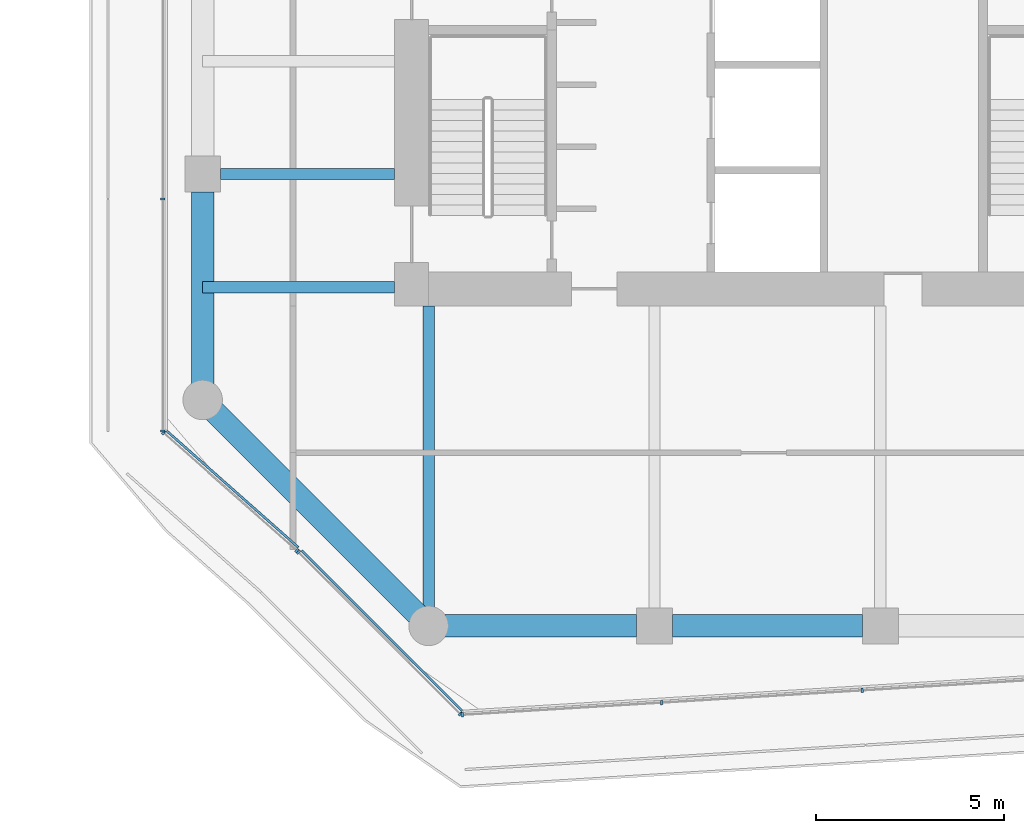
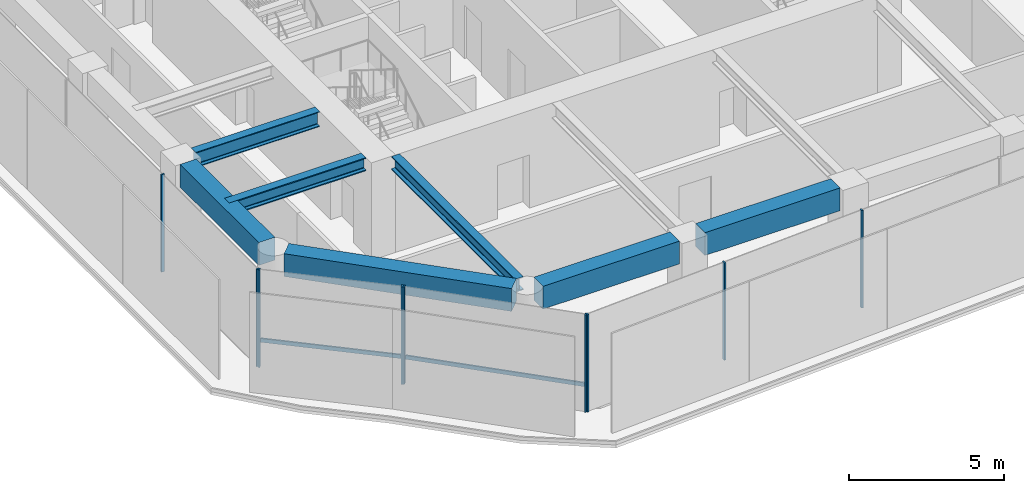
# One storey, part 2 of 29: 11 members, 7 beams, 4 elements without a shape of their own.
"""IFC4 building model written with IfcOpenShell, lengths in metres."""

from ifc_helpers import new_model, si_unit, direction, frame, origin, origin_2d, place, context, subcontext, project, spatial, rectangle, i_section, extrude, material, layer, layer_set, material_profile, profile_set, type_object, element, aggregate, save


model = new_model("IFC4")

# Units and contexts
model_context = context("Model", 3, precision=1e-05, world=origin(), true_north=direction((0.0, 1.0)))
body_context = subcontext(model_context, "Body", "Model", "MODEL_VIEW")
ifc_project = project(units=[si_unit("LENGTHUNIT", "METRE"), si_unit("AREAUNIT", "SQUARE_METRE"), si_unit("VOLUMEUNIT", "CUBIC_METRE"), si_unit("PLANEANGLEUNIT", "RADIAN"), si_unit("MASSUNIT", "GRAM", prefix="KILO")], contexts=[model_context])

# Site, building, storey
site_placement = place(None, origin())
site = spatial("IfcSite", under=ifc_project, at=site_placement, CompositionType="ELEMENT")
building_placement = place(site_placement, origin())
building = spatial("IfcBuilding", under=site, at=building_placement, Name="Welwitschia Terrace Campus", CompositionType="ELEMENT")
storey_placement = place(building_placement, frame((0.0, 0.0, 66.800048828125)))
storey = spatial("IfcBuildingStorey", under=building, at=storey_placement, Name="L15", CompositionType="ELEMENT", Elevation=66.800048828125)

# Beams
ifc_material_1 = material(Name="Steel S355", Category="steel")
ifc_material_profile_1 = material_profile(ifc_material_1, i_section(OverallWidth=0.305908203125, OverallDepth=0.52392578125, WebThickness=0.02099609375, FlangeThickness=0.0400390625, FilletRadius=0.027099609375, at=origin_2d()))
ifc_profile_set_1 = profile_set([ifc_material_profile_1], Name="Steel S355")
beam_type_1 = type_object("IfcBeamType", Name="Interior girder HE 500 M", PredefinedType="BEAM", material=ifc_profile_set_1)
beam_1_placement = place(storey_placement, frame((-0.010009765625, 5.0, 3.587890625), z_axis=(1.0, 0.0, 0.0), x_axis=(0.0, 1.0, 0.0)))
element("IfcBeam", 1, at=beam_1_placement, inside=storey, type_object=beam_type_1, Name="Girder GB2", PredefinedType="BEAM", context=body_context, shape_type="SweptSolid", body=[
    extrude(i_section(OverallWidth=0.305908203125, OverallDepth=0.52392578125, WebThickness=0.02099609375, FlangeThickness=0.0400390625, FilletRadius=0.027099609375, at=origin_2d()), origin(), (0.0, 0.0, 1.0), 5.109130859375),
])
beam_2_placement = place(storey_placement, frame((6.0, -3.507080078125, 3.587890625), z_axis=(0.0, 1.0, 0.0), x_axis=(-1.0, 0.0, 0.0)))
element("IfcBeam", 2, at=beam_2_placement, inside=storey, type_object=beam_type_1, Name="Girder GB2", PredefinedType="BEAM", context=body_context, shape_type="SweptSolid", body=[
    extrude(i_section(OverallWidth=0.305908203125, OverallDepth=0.52392578125, WebThickness=0.02099609375, FlangeThickness=0.0400390625, FilletRadius=0.027099609375, at=origin_2d()), origin(), (0.0, 0.0, 1.0), 8.006103515625),
])

# Curtain wall, members
ifc_material_2 = material(Name="Bronze anodised aluminium", Category="aluminium")
ifc_layer = layer(ifc_material_2, 0.1201171875)
ifc_layer_set = layer_set([ifc_layer], Name="Bronze anodised aluminium")
curtain_wall_type = type_object("IfcCurtainWallType", Name="Curtain wall CW2 tower 6000", PredefinedType="NOTDEFINED", material=ifc_layer_set)
curtain_wall_1_placement = place(storey_placement, origin())
curtain_wall_1 = element("IfcCurtainWall", 3, at=curtain_wall_1_placement, inside=storey, type_object=curtain_wall_type, Name="CW L15.0.0", PredefinedType="NOTDEFINED")
ifc_material_3 = material(Name="Bronze anodised aluminium", Category="aluminium")
ifc_material_profile_2 = material_profile(ifc_material_3, rectangle(XDim=0.1201171875, YDim=0.06005859375, at=origin_2d()))
ifc_profile_set_2 = profile_set([ifc_material_profile_2], Name="Bronze anodised aluminium")
member_type_1 = type_object("IfcMemberType", Name="Mullion 60x120", PredefinedType="MULLION", material=ifc_profile_set_2)
member_1_placement = place(storey_placement, frame((-1.03564453125, 1.129150390625, 0.0), z_axis=(0.0, 0.0, 1.0), x_axis=(0.662620048216, 0.748955720789, 0.0)))
member_1 = element("IfcMember", 4, at=member_1_placement, type_object=member_type_1, Name="Mullion L15.0.0.0", PredefinedType="MULLION", context=body_context, shape_type="SweptSolid", body=[
    extrude(rectangle(XDim=0.1201171875, YDim=0.06005859375, at=origin_2d()), origin(), (0.0, 0.0, 1.0), 3.849853515625),
])
member_2_placement = place(storey_placement, frame((2.5009765625, -1.999755859375, 0.0), z_axis=(0.0, 0.0, 1.0), x_axis=(0.662620048216, 0.748955720789, 0.0)))
member_2 = element("IfcMember", 5, at=member_2_placement, type_object=member_type_1, Name="Mullion L15.0.0.1", PredefinedType="MULLION", context=body_context, shape_type="SweptSolid", body=[
    extrude(rectangle(XDim=0.1201171875, YDim=0.06005859375, at=origin_2d()), origin(), (0.0, 0.0, 1.0), 3.849853515625),
])

curtain_wall_2_placement = place(storey_placement, origin())
curtain_wall_2 = element("IfcCurtainWall", 6, at=curtain_wall_2_placement, inside=storey, type_object=curtain_wall_type, Name="CW L15.1.0", PredefinedType="NOTDEFINED")
member_3_placement = place(storey_placement, frame((2.544677734375, -2.040771484375, 0.0), z_axis=(0.0, 0.0, 1.0), x_axis=(0.707106781187, 0.707106781187, 0.0)))
member_3 = element("IfcMember", 7, at=member_3_placement, type_object=member_type_1, Name="Mullion L15.1.0.0", PredefinedType="MULLION", context=body_context, shape_type="SweptSolid", body=[
    extrude(rectangle(XDim=0.1201171875, YDim=0.06005859375, at=origin_2d()), origin(), (0.0, 0.0, 1.0), 3.849853515625),
])
member_4_placement = place(storey_placement, frame((6.84326171875, -6.339599609375, 0.0), z_axis=(0.0, 0.0, 1.0), x_axis=(0.707106781187, 0.707106781187, 0.0)))
member_4 = element("IfcMember", 8, at=member_4_placement, type_object=member_type_1, Name="Mullion L15.1.0.1", PredefinedType="MULLION", context=body_context, shape_type="SweptSolid", body=[
    extrude(rectangle(XDim=0.1201171875, YDim=0.06005859375, at=origin_2d()), origin(), (0.0, 0.0, 1.0), 3.849853515625),
])

curtain_wall_3_placement = place(storey_placement, origin())
curtain_wall_3 = element("IfcCurtainWall", 9, at=curtain_wall_3_placement, inside=storey, type_object=curtain_wall_type, Name="CW L15.2.0", PredefinedType="NOTDEFINED")
member_5_placement = place(storey_placement, frame((6.89453125, -6.35888671875, 0.0), z_axis=(0.0, 0.0, 1.0), x_axis=(-0.061048539535, 0.998134798422, 0.0)))
member_5 = element("IfcMember", 10, at=member_5_placement, type_object=member_type_1, Name="Mullion L15.2.0.0", PredefinedType="MULLION", context=body_context, shape_type="SweptSolid", body=[
    extrude(rectangle(XDim=0.1201171875, YDim=0.06005859375, at=origin_2d()), origin(), (0.0, 0.0, 1.0), 3.849853515625),
])
member_6_placement = place(storey_placement, frame((12.189697265625, -6.03515625, 0.0), z_axis=(0.0, 0.0, 1.0), x_axis=(-0.061048539535, 0.998134798422, 0.0)))
member_6 = element("IfcMember", 11, at=member_6_placement, type_object=member_type_1, Name="Mullion L15.2.0.1", PredefinedType="MULLION", context=body_context, shape_type="SweptSolid", body=[
    extrude(rectangle(XDim=0.1201171875, YDim=0.06005859375, at=origin_2d()), origin(), (0.0, 0.0, 1.0), 3.849853515625),
])
member_7_placement = place(storey_placement, frame((17.514892578125, -5.70947265625, 0.0), z_axis=(0.0, 0.0, 1.0), x_axis=(-0.061048539535, 0.998134798422, 0.0)))
member_7 = element("IfcMember", 12, at=member_7_placement, type_object=member_type_1, Name="Mullion L15.2.0.2", PredefinedType="MULLION", context=body_context, shape_type="SweptSolid", body=[
    extrude(rectangle(XDim=0.1201171875, YDim=0.06005859375, at=origin_2d()), origin(), (0.0, 0.0, 1.0), 3.849853515625),
])
aggregate(curtain_wall_3, [member_5, member_6, member_7])

curtain_wall_4_placement = place(storey_placement, origin())
curtain_wall_4 = element("IfcCurtainWall", 13, at=curtain_wall_4_placement, inside=storey, type_object=curtain_wall_type, Name="CW L15.12.0", PredefinedType="NOTDEFINED")
member_8_placement = place(storey_placement, frame((-1.05810546875, 7.33984375, 0.0), z_axis=(0.0, 0.0, 1.0), x_axis=(1.0, 0.0, 0.0)))
member_8 = element("IfcMember", 14, at=member_8_placement, type_object=member_type_1, Name="Mullion L15.12.0.9", PredefinedType="MULLION", context=body_context, shape_type="SweptSolid", body=[
    extrude(rectangle(XDim=0.1201171875, YDim=0.06005859375, at=origin_2d()), origin(), (0.0, 0.0, 1.0), 3.849853515625),
])
member_9_placement = place(storey_placement, frame((-1.05810546875, 1.178955078125, 0.0), z_axis=(0.0, 0.0, 1.0), x_axis=(1.0, 0.0, 0.0)))
member_9 = element("IfcMember", 15, at=member_9_placement, type_object=member_type_1, Name="Mullion L15.12.0.10", PredefinedType="MULLION", context=body_context, shape_type="SweptSolid", body=[
    extrude(rectangle(XDim=0.1201171875, YDim=0.06005859375, at=origin_2d()), origin(), (0.0, 0.0, 1.0), 3.849853515625),
])
aggregate(curtain_wall_4, [member_8, member_9])

# Beams
ifc_material_4 = material(Name="Steel S355", Category="steel")
ifc_material_profile_3 = material_profile(ifc_material_4, i_section(OverallWidth=0.300048828125, OverallDepth=0.60009765625, WebThickness=0.015380859375, FlangeThickness=0.030029296875, FilletRadius=0.027099609375, at=origin_2d()))
ifc_profile_set_3 = profile_set([ifc_material_profile_3], Name="Steel S355")
beam_type_2 = type_object("IfcBeamType", Name="Primary beam HE 600 B", PredefinedType="BEAM", material=ifc_profile_set_3)
beam_3_placement = place(storey_placement, frame((0.4755859375, 8.0, 3.550048828125), z_axis=(1.0, 0.0, 0.0), x_axis=(0.0, 1.0, 0.0)))
element("IfcBeam", 16, at=beam_3_placement, inside=storey, type_object=beam_type_2, Name="Primary beam PB2", PredefinedType="BEAM", context=body_context, shape_type="SweptSolid", body=[
    extrude(i_section(OverallWidth=0.300048828125, OverallDepth=0.60009765625, WebThickness=0.015380859375, FlangeThickness=0.030029296875, FilletRadius=0.027099609375, at=origin_2d()), origin(), (0.0, 0.0, 1.0), 4.62451171875),
])
ifc_material_5 = material(Name="Concrete C60/75", Category="concrete")
ifc_material_profile_4 = material_profile(ifc_material_5, rectangle(XDim=0.60009765625, YDim=0.89990234375, at=origin_2d()))
ifc_profile_set_4 = profile_set([ifc_material_profile_4], Name="Concrete C60/75")
beam_type_3 = type_object("IfcBeamType", Name="Ring spandrel 600x900", PredefinedType="SPANDREL", material=ifc_profile_set_4)
beam_4_placement = place(storey_placement, frame((0.30517578125, 1.69482421875, 3.39990234375), z_axis=(0.707106781187, -0.707106781187, 0.0), x_axis=(0.707106781187, 0.707106781187, 0.0)))
element("IfcBeam", 17, at=beam_4_placement, inside=storey, type_object=beam_type_3, Name="Spandrel SP2", PredefinedType="SPANDREL", context=body_context, shape_type="SweptSolid", body=[
    extrude(rectangle(XDim=0.60009765625, YDim=0.89990234375, at=origin_2d()), origin(), (0.0, 0.0, 1.0), 7.6220703125),
])
beam_5_placement = place(storey_placement, frame((6.431396484375, -4.0, 3.39990234375), z_axis=(1.0, 0.0, 0.0), x_axis=(0.0, 1.0, 0.0)))
element("IfcBeam", 18, at=beam_5_placement, inside=storey, type_object=beam_type_3, Name="Spandrel SP2", PredefinedType="SPANDREL", context=body_context, shape_type="SweptSolid", body=[
    extrude(rectangle(XDim=0.60009765625, YDim=0.89990234375, at=origin_2d()), origin(), (0.0, 0.0, 1.0), 5.093017578125),
])
beam_6_placement = place(storey_placement, frame((12.4755859375, -4.0, 3.39990234375), z_axis=(1.0, 0.0, 0.0), x_axis=(0.0, 1.0, 0.0)))
element("IfcBeam", 19, at=beam_6_placement, inside=storey, type_object=beam_type_3, Name="Spandrel SP2", PredefinedType="SPANDREL", context=body_context, shape_type="SweptSolid", body=[
    extrude(rectangle(XDim=0.60009765625, YDim=0.89990234375, at=origin_2d()), origin(), (0.0, 0.0, 1.0), 5.048828125),
])
beam_7_placement = place(storey_placement, frame((0.0, 7.5244140625, 3.39990234375), z_axis=(0.0, -1.0, 0.0), x_axis=(1.0, 0.0, 0.0)))
element("IfcBeam", 20, at=beam_7_placement, inside=storey, type_object=beam_type_3, Name="Spandrel SP2", PredefinedType="SPANDREL", context=body_context, shape_type="SweptSolid", body=[
    extrude(rectangle(XDim=0.60009765625, YDim=0.89990234375, at=origin_2d()), origin(), (0.0, 0.0, 1.0), 5.093017578125),
])

# Member
ifc_material_6 = material(Name="Bronze anodised aluminium", Category="aluminium")
ifc_material_profile_5 = material_profile(ifc_material_6, rectangle(XDim=0.06005859375, YDim=0.14990234375, at=origin_2d()))
ifc_profile_set_5 = profile_set([ifc_material_profile_5], Name="Bronze anodised aluminium")
member_type_2 = type_object("IfcMemberType", Name="Transom 60x150", PredefinedType="USERDEFINED", material=ifc_profile_set_5)
member_10_placement = place(storey_placement, frame((-0.953369140625, 1.176513671875, 1.0), z_axis=(0.748941582408, -0.662636028404, 0.0), x_axis=(0.662636028404, 0.748941582408, 0.0)))
member_10 = element("IfcMember", 21, at=member_10_placement, type_object=member_type_2, Name="Transom L15.0.0", ObjectType="TRANSOM", PredefinedType="USERDEFINED", context=body_context, shape_type="SweptSolid", body=[
    extrude(rectangle(XDim=0.06005859375, YDim=0.14990234375, at=origin_2d()), origin(), (0.0, 0.0, 1.0), 4.661865234375),
])

aggregate(curtain_wall_1, [member_1, member_2, member_10])

member_11_placement = place(storey_placement, frame((2.62939453125, -1.99853515625, 1.0), z_axis=(0.707127061011, -0.70708650078, 0.0), x_axis=(0.70708650078, 0.707127061011, 0.0)))
member_11 = element("IfcMember", 22, at=member_11_placement, type_object=member_type_2, Name="Transom L15.1.0", ObjectType="TRANSOM", PredefinedType="USERDEFINED", context=body_context, shape_type="SweptSolid", body=[
    extrude(rectangle(XDim=0.06005859375, YDim=0.14990234375, at=origin_2d()), origin(), (0.0, 0.0, 1.0), 6.019287109375),
])

aggregate(curtain_wall_2, [member_3, member_4, member_11])

save(model, "model.ifc")
